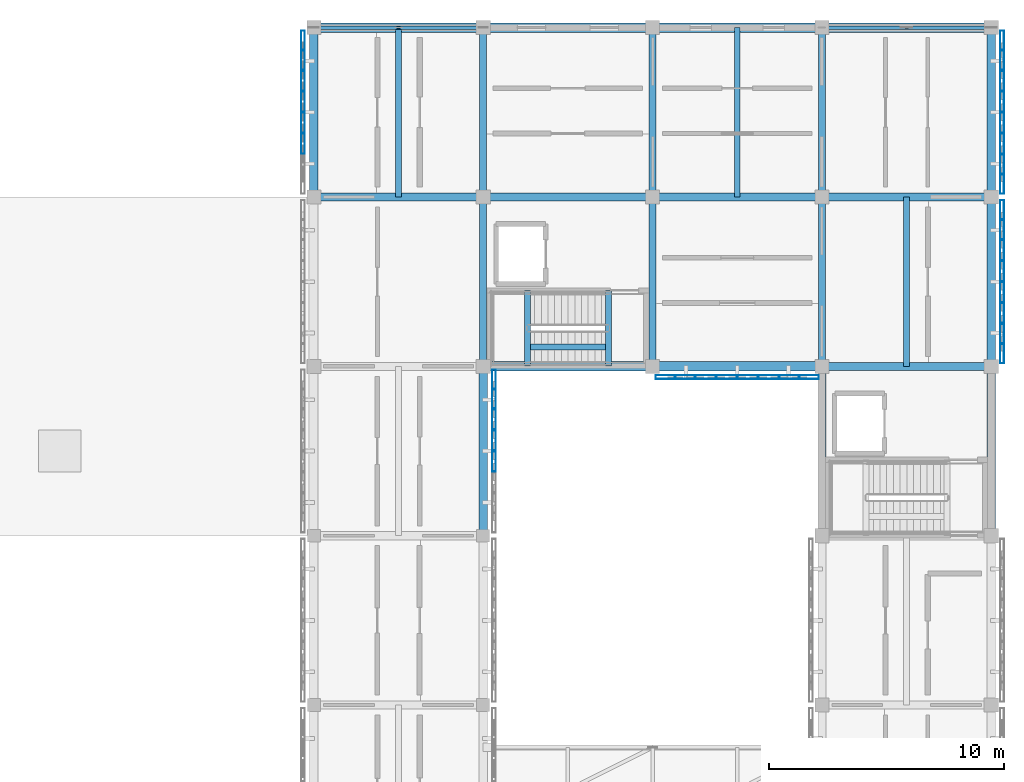
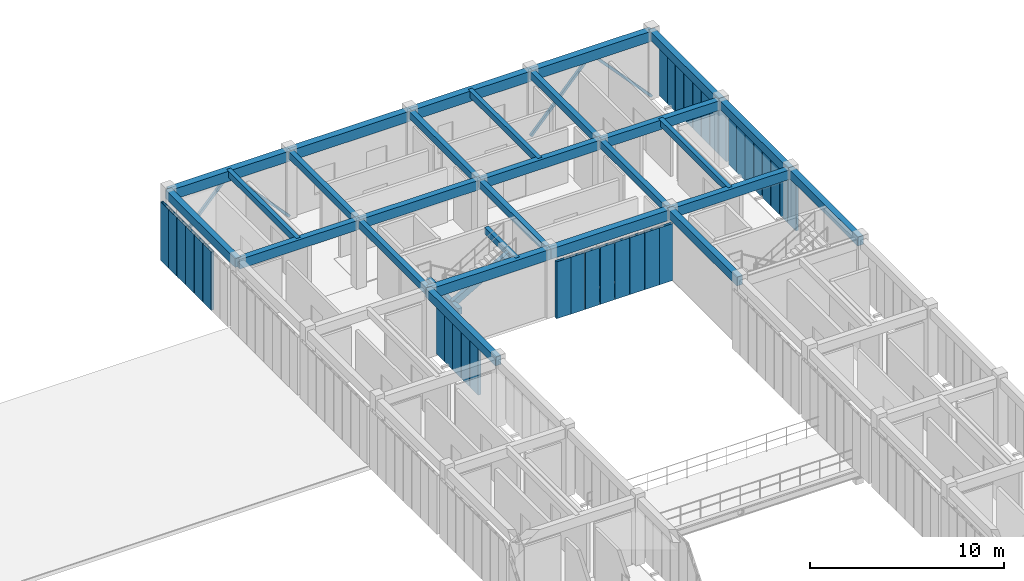
# One storey, part 15 of 91: 39 members, 29 beams, 5 elements without a shape of their own.
"""IFC4 building model written with IfcOpenShell, lengths in metres."""

from ifc_helpers import new_model, si_unit, direction, frame, origin, origin_2d, place, context, subcontext, project, spatial, rectangle, hollow_rectangle, extrude, material, material_profile, profile_set, type_object, element, aggregate, save


model = new_model("IFC4")

# Units and contexts
model_context = context("Model", 3, precision=1e-05, world=origin(), true_north=direction((0.0, 1.0)))
body_context = subcontext(model_context, "Body", "Model", "MODEL_VIEW")
ifc_project = project(units=[si_unit("LENGTHUNIT", "METRE"), si_unit("AREAUNIT", "SQUARE_METRE"), si_unit("VOLUMEUNIT", "CUBIC_METRE"), si_unit("PLANEANGLEUNIT", "RADIAN"), si_unit("MASSUNIT", "GRAM", prefix="KILO")], contexts=[model_context])

# Site, building, storey
site_placement = place(None, origin())
site = spatial("IfcSite", under=ifc_project, at=site_placement, CompositionType="ELEMENT")
building_placement = place(site_placement, origin())
building = spatial("IfcBuilding", under=site, at=building_placement, Name="Aldebral Square Health Centre", CompositionType="ELEMENT")
storey_placement = place(building_placement, frame((0.0, 0.0, 9.0)))
storey = spatial("IfcBuildingStorey", under=building, at=storey_placement, Name="L02", CompositionType="ELEMENT", Elevation=9.0)

# Beams
ifc_material_1 = material(Name="Concrete C40/50", Category="concrete")
ifc_material_profile_1 = material_profile(ifc_material_1, rectangle(XDim=0.39990234375, YDim=0.64990234375, at=origin_2d()), Name="RC 400x650")
ifc_profile_set_1 = profile_set([ifc_material_profile_1], Name="Concrete C40/50")
beam_type_1 = type_object("IfcBeamType", Name="BM-B1", PredefinedType="BEAM", material=ifc_profile_set_1)
for number, where, z_axis, x_axis, name in (
    (1, (136.800048828125, 115.199951171875, 3.9150390625), (1.0, 0.0, 0.0), (0.0, 1.0, 0.0), "L02 X-beam 20-21/G17"),
    (2, (144.0, 100.800048828125, 3.9150390625), (1.0, 0.0, 0.0), (0.0, 1.0, 0.0), "L02 X-beam 21-22/G15"),
    (3, (144.0, 115.199951171875, 3.9150390625), (1.0, 0.0, 0.0), (0.0, 1.0, 0.0), "L02 X-beam 21-22/G17"),
    (4, (151.199951171875, 100.800048828125, 3.9150390625), (1.0, 0.0, 0.0), (0.0, 1.0, 0.0), "L02 X-beam 22-23/G15"),
    (5, (151.199951171875, 115.199951171875, 3.9150390625), (1.0, 0.0, 0.0), (0.0, 1.0, 0.0), "L02 X-beam 22-23/G17"),
):
    element("IfcBeam", number, at=place(storey_placement, frame(where, z_axis=z_axis, x_axis=x_axis)), inside=storey, type_object=beam_type_1, Name=name, PredefinedType="BEAM", context=body_context, shape_type="SweptSolid", body=[
        extrude(rectangle(XDim=0.39990234375, YDim=0.64990234375, at=origin_2d()), origin(), (0.0, 0.0, 1.0), 7.199951171875),
    ])
beam_1_placement = place(storey_placement, frame((158.39990234375, 115.199951171875, 3.9150390625), z_axis=(1.0, 0.0, 0.0), x_axis=(0.0, 1.0, 0.0)))
element("IfcBeam", 6, at=beam_1_placement, inside=storey, type_object=beam_type_1, Name="L02 X-beam 23-24/G17", PredefinedType="BEAM", context=body_context, shape_type="SweptSolid", body=[
    extrude(rectangle(XDim=0.39990234375, YDim=0.64990234375, at=origin_2d()), origin(), (0.0, 0.0, 1.0), 7.2001953125),
])
ifc_material_profile_2 = material_profile(ifc_material_1, rectangle(XDim=0.35009765625, YDim=0.60009765625, at=origin_2d()), Name="RC 350x600")
ifc_profile_set_2 = profile_set([ifc_material_profile_2], Name="Concrete C40/50")
beam_type_2 = type_object("IfcBeamType", Name="BM-B2", PredefinedType="BEAM", material=ifc_profile_set_2)
for number, where, z_axis, x_axis, name in (
    (7, (136.800048828125, 108.0, 3.93994140625), (1.0, 0.0, 0.0), (0.0, 1.0, 0.0), "L02 X-beam 20-21/G16"),
    (8, (144.0, 108.0, 3.93994140625), (1.0, 0.0, 0.0), (0.0, 1.0, 0.0), "L02 X-beam 21-22/G16"),
    (9, (151.199951171875, 108.0, 3.93994140625), (1.0, 0.0, 0.0), (0.0, 1.0, 0.0), "L02 X-beam 22-23/G16"),
):
    element("IfcBeam", number, at=place(storey_placement, frame(where, z_axis=z_axis, x_axis=x_axis)), inside=storey, type_object=beam_type_2, Name=name, PredefinedType="BEAM", context=body_context, shape_type="SweptSolid", body=[
        extrude(rectangle(XDim=0.35009765625, YDim=0.60009765625, at=origin_2d()), origin(), (0.0, 0.0, 1.0), 7.199951171875),
    ])
for number, where, z_axis, x_axis, name in (
    (10, (158.39990234375, 100.800048828125, 3.93994140625), (1.0, 0.0, 0.0), (0.0, 1.0, 0.0), "L02 X-beam 23-24/G15"),
    (11, (158.39990234375, 108.0, 3.93994140625), (1.0, 0.0, 0.0), (0.0, 1.0, 0.0), "L02 X-beam 23-24/G16"),
):
    element("IfcBeam", number, at=place(storey_placement, frame(where, z_axis=z_axis, x_axis=x_axis)), inside=storey, type_object=beam_type_2, Name=name, PredefinedType="BEAM", context=body_context, shape_type="SweptSolid", body=[
        extrude(rectangle(XDim=0.35009765625, YDim=0.60009765625, at=origin_2d()), origin(), (0.0, 0.0, 1.0), 7.2001953125),
    ])
ifc_material_profile_3 = material_profile(ifc_material_1, rectangle(XDim=0.35009765625, YDim=0.550048828125, at=origin_2d()), Name="RC 350x550")
ifc_profile_set_3 = profile_set([ifc_material_profile_3], Name="Concrete C40/50")
beam_type_3 = type_object("IfcBeamType", Name="BM-B3", PredefinedType="BEAM", material=ifc_profile_set_3)
for number, where, z_axis, x_axis, name in (
    (12, (136.800048828125, 108.0, 3.965087890625), (0.0, 1.0, 0.0), (-1.0, 0.0, 0.0), "L02 Y-beam G20/16-17"),
    (13, (144.0, 93.60009765625, 3.965087890625), (0.0, 1.0, 0.0), (-1.0, 0.0, 0.0), "L02 Y-beam G21/14-15"),
    (14, (158.39990234375, 93.60009765625, 3.965087890625), (0.0, 1.0, 0.0), (-1.0, 0.0, 0.0), "L02 Y-beam G23/14-15"),
    (15, (165.60009765625, 93.60009765625, 3.965087890625), (0.0, 1.0, 0.0), (-1.0, 0.0, 0.0), "L02 Y-beam G24/14-15"),
    (16, (165.60009765625, 100.800048828125, 3.965087890625), (0.0, 1.0, 0.0), (-1.0, 0.0, 0.0), "L02 Y-beam G24/15-16"),
    (17, (165.60009765625, 108.0, 3.965087890625), (0.0, 1.0, 0.0), (-1.0, 0.0, 0.0), "L02 Y-beam G24/16-17"),
):
    element("IfcBeam", number, at=place(storey_placement, frame(where, z_axis=z_axis, x_axis=x_axis)), inside=storey, type_object=beam_type_3, Name=name, PredefinedType="BEAM", context=body_context, shape_type="SweptSolid", body=[
        extrude(rectangle(XDim=0.35009765625, YDim=0.550048828125, at=origin_2d()), origin(), (0.0, 0.0, 1.0), 7.199951171875),
    ])
ifc_material_profile_4 = material_profile(ifc_material_1, rectangle(XDim=0.300048828125, YDim=0.449951171875, at=origin_2d()), Name="RC 300x450")
ifc_profile_set_4 = profile_set([ifc_material_profile_4], Name="Concrete C40/50")
beam_type_4 = type_object("IfcBeamType", Name="BM-B5", PredefinedType="BEAM", material=ifc_profile_set_4)
for number, where, z_axis, x_axis, name in (
    (18, (144.0, 100.800048828125, 4.014892578125), (0.0, 1.0, 0.0), (-1.0, 0.0, 0.0), "L02 Y-beam G21/15-16"),
    (19, (144.0, 108.0, 4.014892578125), (0.0, 1.0, 0.0), (-1.0, 0.0, 0.0), "L02 Y-beam G21/16-17"),
    (20, (151.199951171875, 100.800048828125, 4.014892578125), (0.0, 1.0, 0.0), (-1.0, 0.0, 0.0), "L02 Y-beam G22/15-16"),
    (21, (151.199951171875, 108.0, 4.014892578125), (0.0, 1.0, 0.0), (-1.0, 0.0, 0.0), "L02 Y-beam G22/16-17"),
    (22, (158.39990234375, 100.800048828125, 4.014892578125), (0.0, 1.0, 0.0), (-1.0, 0.0, 0.0), "L02 Y-beam G23/15-16"),
    (23, (158.39990234375, 108.0, 4.014892578125), (0.0, 1.0, 0.0), (-1.0, 0.0, 0.0), "L02 Y-beam G23/16-17"),
):
    element("IfcBeam", number, at=place(storey_placement, frame(where, z_axis=z_axis, x_axis=x_axis)), inside=storey, type_object=beam_type_4, Name=name, PredefinedType="BEAM", context=body_context, shape_type="SweptSolid", body=[
        extrude(rectangle(XDim=0.300048828125, YDim=0.449951171875, at=origin_2d()), origin(), (0.0, 0.0, 1.0), 7.199951171875),
    ])
ifc_material_profile_5 = material_profile(ifc_material_1, rectangle(XDim=0.25, YDim=0.39990234375, at=origin_2d()), Name="RC 250x400")
ifc_profile_set_5 = profile_set([ifc_material_profile_5], Name="Concrete C40/50")
beam_type_5 = type_object("IfcBeamType", Name="BM-B6", PredefinedType="JOIST", material=ifc_profile_set_5)
for number, where, z_axis, x_axis, name in (
    (24, (140.39990234375, 108.0, 4.0400390625), (0.0, 1.0, 0.0), (-1.0, 0.0, 0.0), "L02 secondary rib 20.16"),
    (25, (154.800048828125, 108.0, 4.0400390625), (0.0, 1.0, 0.0), (-1.0, 0.0, 0.0), "L02 secondary rib 22.16"),
    (26, (162.0, 100.800048828125, 4.0400390625), (0.0, 1.0, 0.0), (-1.0, 0.0, 0.0), "L02 secondary rib 23.15"),
):
    element("IfcBeam", number, at=place(storey_placement, frame(where, z_axis=z_axis, x_axis=x_axis)), inside=storey, type_object=beam_type_5, Name=name, PredefinedType="JOIST", context=body_context, shape_type="SweptSolid", body=[
        extrude(rectangle(XDim=0.25, YDim=0.39990234375, at=origin_2d()), origin(), (0.0, 0.0, 1.0), 7.199951171875),
    ])
for number, where, z_axis, x_axis, name in (
    (27, (145.8798828125, 100.81005859375, 2.050048828125), (0.0, 1.0, 0.0), (-1.0, 0.0, 0.0), "L02 WC-C4 half-landing beam"),
    (28, (149.320068359375, 100.81005859375, 4.0400390625), (0.0, 1.0, 0.0), (-1.0, 0.0, 0.0), "L02 WC-C4 upper landing beam"),
):
    element("IfcBeam", number, at=place(storey_placement, frame(where, z_axis=z_axis, x_axis=x_axis)), inside=storey, type_object=beam_type_5, Name=name, PredefinedType="JOIST", context=body_context, shape_type="SweptSolid", body=[
        extrude(rectangle(XDim=0.25, YDim=0.39990234375, at=origin_2d()), origin(), (0.0, 0.0, 1.0), 3.219970703125),
    ])
beam_2_placement = place(storey_placement, frame((145.8798828125, 101.6201171875, 2.050048828125), z_axis=(0.865611281387, 0.0, 0.500716596025), x_axis=(0.0, 1.0, 0.0)))
element("IfcBeam", 29, at=beam_2_placement, inside=storey, type_object=beam_type_5, Name="L02 WC-C4 flight stringer beam", PredefinedType="JOIST", context=body_context, shape_type="SweptSolid", body=[
    extrude(rectangle(XDim=0.25, YDim=0.39990234375, at=origin_2d()), origin(), (0.0, 0.0, 1.0), 3.974365234375),
])

# Curtain wall, members
ifc_material_2 = material(Name="Aluminium and low-E solar glass", Category="aluminium")
curtain_wall_type = type_object("IfcCurtainWallType", Name="CW-FIN-SYS", PredefinedType="USERDEFINED", material=ifc_material_2)
curtain_wall_1_placement = place(storey_placement, origin())
curtain_wall_1 = element("IfcCurtainWall", 30, at=curtain_wall_1_placement, inside=storey, type_object=curtain_wall_type, Name="L02 V5 finned curtain wall L02-V5-19-13-E", ObjectType="SOLAR_CURTAIN_WALL", PredefinedType="USERDEFINED")
ifc_material_3 = material(Name="Sienna-terracotta clad aluminium fin", Category="masonry")
ifc_material_profile_6 = material_profile(ifc_material_3, hollow_rectangle(XDim=0.159912109375, YDim=0.85009765625, WallThickness=0.006103515625, at=origin_2d()), Name="FIN 160x850x6")
ifc_profile_set_6 = profile_set([ifc_material_profile_6], Name="Sienna-terracotta clad aluminium fin")
member_type_1 = type_object("IfcMemberType", Name="CWM-FIN", PredefinedType="MULLION", material=ifc_profile_set_6)
member_1_placement = place(storey_placement, frame((144.4599609375, 96.75439453125, 0.0), z_axis=(0.0, 0.0, 1.0), x_axis=(-1.0, 0.0, 0.0)))
member_1 = element("IfcMember", 31, at=member_1_placement, type_object=member_type_1, Name="CW1 mullion 4", PredefinedType="MULLION", context=body_context, shape_type="SweptSolid", body=[
    extrude(hollow_rectangle(XDim=0.159912109375, YDim=0.85009765625, WallThickness=0.006103515625, at=origin_2d()), origin(), (0.0, 0.0, 1.0), 3.68994140625),
])
member_2_placement = place(storey_placement, frame((144.4599609375, 97.645751953125, 0.0), z_axis=(0.0, 0.0, 1.0), x_axis=(-1.0, 0.0, 0.0)))
member_2 = element("IfcMember", 32, at=member_2_placement, type_object=member_type_1, Name="CW1 mullion 5", PredefinedType="MULLION", context=body_context, shape_type="SweptSolid", body=[
    extrude(hollow_rectangle(XDim=0.159912109375, YDim=0.85009765625, WallThickness=0.006103515625, at=origin_2d()), origin(), (0.0, 0.0, 1.0), 3.68994140625),
])
member_3_placement = place(storey_placement, frame((144.4599609375, 98.537109375, 0.0), z_axis=(0.0, 0.0, 1.0), x_axis=(-1.0, 0.0, 0.0)))
member_3 = element("IfcMember", 33, at=member_3_placement, type_object=member_type_1, Name="CW1 mullion 6", PredefinedType="MULLION", context=body_context, shape_type="SweptSolid", body=[
    extrude(hollow_rectangle(XDim=0.159912109375, YDim=0.85009765625, WallThickness=0.006103515625, at=origin_2d()), origin(), (0.0, 0.0, 1.0), 3.68994140625),
])
member_4_placement = place(storey_placement, frame((144.4599609375, 99.428466796875, 0.0), z_axis=(0.0, 0.0, 1.0), x_axis=(-1.0, 0.0, 0.0)))
member_4 = element("IfcMember", 34, at=member_4_placement, type_object=member_type_1, Name="CW1 mullion 7", PredefinedType="MULLION", context=body_context, shape_type="SweptSolid", body=[
    extrude(hollow_rectangle(XDim=0.159912109375, YDim=0.85009765625, WallThickness=0.006103515625, at=origin_2d()), origin(), (0.0, 0.0, 1.0), 3.68994140625),
])
member_5_placement = place(storey_placement, frame((144.4599609375, 100.239990234375, 0.0), z_axis=(0.0, 0.0, 1.0), x_axis=(-1.0, 0.0, 0.0)))
member_5 = element("IfcMember", 35, at=member_5_placement, type_object=member_type_1, Name="CW1 mullion 8", PredefinedType="MULLION", context=body_context, shape_type="SweptSolid", body=[
    extrude(hollow_rectangle(XDim=0.159912109375, YDim=0.85009765625, WallThickness=0.006103515625, at=origin_2d()), origin(), (0.0, 0.0, 1.0), 3.68994140625),
])
aggregate(curtain_wall_1, [member_1, member_2, member_3, member_4, member_5])

curtain_wall_2_placement = place(storey_placement, origin())
curtain_wall_2 = element("IfcCurtainWall", 36, at=curtain_wall_2_placement, inside=storey, type_object=curtain_wall_type, Name="L02 V5 finned curtain wall L02-V5-19-15-W", ObjectType="SOLAR_CURTAIN_WALL", PredefinedType="USERDEFINED")
member_6_placement = place(storey_placement, frame((136.340087890625, 114.639892578125, 0.0), z_axis=(0.0, 0.0, 1.0), x_axis=(1.0, 0.0, 0.0)))
member_6 = element("IfcMember", 37, at=member_6_placement, type_object=member_type_1, Name="CW1 mullion 1", PredefinedType="MULLION", context=body_context, shape_type="SweptSolid", body=[
    extrude(hollow_rectangle(XDim=0.159912109375, YDim=0.85009765625, WallThickness=0.006103515625, at=origin_2d()), origin(), (0.0, 0.0, 1.0), 3.68994140625),
])
member_7_placement = place(storey_placement, frame((136.340087890625, 113.82861328125, 0.0), z_axis=(0.0, 0.0, 1.0), x_axis=(1.0, 0.0, 0.0)))
member_7 = element("IfcMember", 38, at=member_7_placement, type_object=member_type_1, Name="CW1 mullion 2", PredefinedType="MULLION", context=body_context, shape_type="SweptSolid", body=[
    extrude(hollow_rectangle(XDim=0.159912109375, YDim=0.85009765625, WallThickness=0.006103515625, at=origin_2d()), origin(), (0.0, 0.0, 1.0), 3.68994140625),
])
member_8_placement = place(storey_placement, frame((136.340087890625, 112.937255859375, 0.0), z_axis=(0.0, 0.0, 1.0), x_axis=(1.0, 0.0, 0.0)))
member_8 = element("IfcMember", 39, at=member_8_placement, type_object=member_type_1, Name="CW1 mullion 3", PredefinedType="MULLION", context=body_context, shape_type="SweptSolid", body=[
    extrude(hollow_rectangle(XDim=0.159912109375, YDim=0.85009765625, WallThickness=0.006103515625, at=origin_2d()), origin(), (0.0, 0.0, 1.0), 3.68994140625),
])
member_9_placement = place(storey_placement, frame((136.340087890625, 112.045654296875, 0.0), z_axis=(0.0, 0.0, 1.0), x_axis=(1.0, 0.0, 0.0)))
member_9 = element("IfcMember", 40, at=member_9_placement, type_object=member_type_1, Name="CW1 mullion 4", PredefinedType="MULLION", context=body_context, shape_type="SweptSolid", body=[
    extrude(hollow_rectangle(XDim=0.159912109375, YDim=0.85009765625, WallThickness=0.006103515625, at=origin_2d()), origin(), (0.0, 0.0, 1.0), 3.68994140625),
])
member_10_placement = place(storey_placement, frame((136.340087890625, 111.154296875, 0.0), z_axis=(0.0, 0.0, 1.0), x_axis=(1.0, 0.0, 0.0)))
member_10 = element("IfcMember", 41, at=member_10_placement, type_object=member_type_1, Name="CW1 mullion 5", PredefinedType="MULLION", context=body_context, shape_type="SweptSolid", body=[
    extrude(hollow_rectangle(XDim=0.159912109375, YDim=0.85009765625, WallThickness=0.006103515625, at=origin_2d()), origin(), (0.0, 0.0, 1.0), 3.68994140625),
])
member_11_placement = place(storey_placement, frame((136.340087890625, 110.262939453125, 0.0), z_axis=(0.0, 0.0, 1.0), x_axis=(1.0, 0.0, 0.0)))
member_11 = element("IfcMember", 42, at=member_11_placement, type_object=member_type_1, Name="CW1 mullion 6", PredefinedType="MULLION", context=body_context, shape_type="SweptSolid", body=[
    extrude(hollow_rectangle(XDim=0.159912109375, YDim=0.85009765625, WallThickness=0.006103515625, at=origin_2d()), origin(), (0.0, 0.0, 1.0), 3.68994140625),
])
aggregate(curtain_wall_2, [member_6, member_7, member_8, member_9, member_10, member_11])

curtain_wall_3_placement = place(storey_placement, origin())
curtain_wall_3 = element("IfcCurtainWall", 43, at=curtain_wall_3_placement, inside=storey, type_object=curtain_wall_type, Name="L02 V5 finned curtain wall L02-V5-21-14-S", ObjectType="SOLAR_CURTAIN_WALL", PredefinedType="USERDEFINED")
member_12_placement = place(storey_placement, frame((151.760009765625, 100.340087890625, 0.0), z_axis=(0.0, 0.0, 1.0), x_axis=(0.0, 1.0, 0.0)))
member_12 = element("IfcMember", 44, at=member_12_placement, type_object=member_type_1, Name="CW1 mullion 1", PredefinedType="MULLION", context=body_context, shape_type="SweptSolid", body=[
    extrude(hollow_rectangle(XDim=0.159912109375, YDim=0.85009765625, WallThickness=0.006103515625, at=origin_2d()), origin(), (0.0, 0.0, 1.0), 3.590087890625),
])
member_13_placement = place(storey_placement, frame((152.571533203125, 100.340087890625, 0.0), z_axis=(0.0, 0.0, 1.0), x_axis=(0.0, 1.0, 0.0)))
member_13 = element("IfcMember", 45, at=member_13_placement, type_object=member_type_1, Name="CW1 mullion 2", PredefinedType="MULLION", context=body_context, shape_type="SweptSolid", body=[
    extrude(hollow_rectangle(XDim=0.159912109375, YDim=0.85009765625, WallThickness=0.006103515625, at=origin_2d()), origin(), (0.0, 0.0, 1.0), 3.590087890625),
])
member_14_placement = place(storey_placement, frame((153.462890625, 100.340087890625, 0.0), z_axis=(0.0, 0.0, 1.0), x_axis=(0.0, 1.0, 0.0)))
member_14 = element("IfcMember", 46, at=member_14_placement, type_object=member_type_1, Name="CW1 mullion 3", PredefinedType="MULLION", context=body_context, shape_type="SweptSolid", body=[
    extrude(hollow_rectangle(XDim=0.159912109375, YDim=0.85009765625, WallThickness=0.006103515625, at=origin_2d()), origin(), (0.0, 0.0, 1.0), 3.590087890625),
])
member_15_placement = place(storey_placement, frame((154.354248046875, 100.340087890625, 0.0), z_axis=(0.0, 0.0, 1.0), x_axis=(0.0, 1.0, 0.0)))
member_15 = element("IfcMember", 47, at=member_15_placement, type_object=member_type_1, Name="CW1 mullion 4", PredefinedType="MULLION", context=body_context, shape_type="SweptSolid", body=[
    extrude(hollow_rectangle(XDim=0.159912109375, YDim=0.85009765625, WallThickness=0.006103515625, at=origin_2d()), origin(), (0.0, 0.0, 1.0), 3.590087890625),
])
member_16_placement = place(storey_placement, frame((155.24560546875, 100.340087890625, 0.0), z_axis=(0.0, 0.0, 1.0), x_axis=(0.0, 1.0, 0.0)))
member_16 = element("IfcMember", 48, at=member_16_placement, type_object=member_type_1, Name="CW1 mullion 5", PredefinedType="MULLION", context=body_context, shape_type="SweptSolid", body=[
    extrude(hollow_rectangle(XDim=0.159912109375, YDim=0.85009765625, WallThickness=0.006103515625, at=origin_2d()), origin(), (0.0, 0.0, 1.0), 3.590087890625),
])
member_17_placement = place(storey_placement, frame((156.13720703125, 100.340087890625, 0.0), z_axis=(0.0, 0.0, 1.0), x_axis=(0.0, 1.0, 0.0)))
member_17 = element("IfcMember", 49, at=member_17_placement, type_object=member_type_1, Name="CW1 mullion 6", PredefinedType="MULLION", context=body_context, shape_type="SweptSolid", body=[
    extrude(hollow_rectangle(XDim=0.159912109375, YDim=0.85009765625, WallThickness=0.006103515625, at=origin_2d()), origin(), (0.0, 0.0, 1.0), 3.590087890625),
])
member_18_placement = place(storey_placement, frame((157.028564453125, 100.340087890625, 0.0), z_axis=(0.0, 0.0, 1.0), x_axis=(0.0, 1.0, 0.0)))
member_18 = element("IfcMember", 50, at=member_18_placement, type_object=member_type_1, Name="CW1 mullion 7", PredefinedType="MULLION", context=body_context, shape_type="SweptSolid", body=[
    extrude(hollow_rectangle(XDim=0.159912109375, YDim=0.85009765625, WallThickness=0.006103515625, at=origin_2d()), origin(), (0.0, 0.0, 1.0), 3.590087890625),
])
member_19_placement = place(storey_placement, frame((157.840087890625, 100.340087890625, 0.0), z_axis=(0.0, 0.0, 1.0), x_axis=(0.0, 1.0, 0.0)))
member_19 = element("IfcMember", 51, at=member_19_placement, type_object=member_type_1, Name="CW1 mullion 8", PredefinedType="MULLION", context=body_context, shape_type="SweptSolid", body=[
    extrude(hollow_rectangle(XDim=0.159912109375, YDim=0.85009765625, WallThickness=0.006103515625, at=origin_2d()), origin(), (0.0, 0.0, 1.0), 3.590087890625),
])
aggregate(curtain_wall_3, [member_12, member_13, member_14, member_15, member_16, member_17, member_18, member_19])

curtain_wall_4_placement = place(storey_placement, origin())
curtain_wall_4 = element("IfcCurtainWall", 52, at=curtain_wall_4_placement, inside=storey, type_object=curtain_wall_type, Name="L02 V5 finned curtain wall L02-V5-22-14-E", ObjectType="SOLAR_CURTAIN_WALL", PredefinedType="USERDEFINED")
member_20_placement = place(storey_placement, frame((166.06005859375, 101.360107421875, 0.0), z_axis=(0.0, 0.0, 1.0), x_axis=(-1.0, 0.0, 0.0)))
member_20 = element("IfcMember", 53, at=member_20_placement, type_object=member_type_1, Name="CW1 mullion 1", PredefinedType="MULLION", context=body_context, shape_type="SweptSolid", body=[
    extrude(hollow_rectangle(XDim=0.159912109375, YDim=0.85009765625, WallThickness=0.006103515625, at=origin_2d()), origin(), (0.0, 0.0, 1.0), 3.68994140625),
])
member_21_placement = place(storey_placement, frame((166.06005859375, 102.17138671875, 0.0), z_axis=(0.0, 0.0, 1.0), x_axis=(-1.0, 0.0, 0.0)))
member_21 = element("IfcMember", 54, at=member_21_placement, type_object=member_type_1, Name="CW1 mullion 2", PredefinedType="MULLION", context=body_context, shape_type="SweptSolid", body=[
    extrude(hollow_rectangle(XDim=0.159912109375, YDim=0.85009765625, WallThickness=0.006103515625, at=origin_2d()), origin(), (0.0, 0.0, 1.0), 3.68994140625),
])
member_22_placement = place(storey_placement, frame((166.06005859375, 103.062744140625, 0.0), z_axis=(0.0, 0.0, 1.0), x_axis=(-1.0, 0.0, 0.0)))
member_22 = element("IfcMember", 55, at=member_22_placement, type_object=member_type_1, Name="CW1 mullion 3", PredefinedType="MULLION", context=body_context, shape_type="SweptSolid", body=[
    extrude(hollow_rectangle(XDim=0.159912109375, YDim=0.85009765625, WallThickness=0.006103515625, at=origin_2d()), origin(), (0.0, 0.0, 1.0), 3.68994140625),
])
member_23_placement = place(storey_placement, frame((166.06005859375, 103.954345703125, 0.0), z_axis=(0.0, 0.0, 1.0), x_axis=(-1.0, 0.0, 0.0)))
member_23 = element("IfcMember", 56, at=member_23_placement, type_object=member_type_1, Name="CW1 mullion 4", PredefinedType="MULLION", context=body_context, shape_type="SweptSolid", body=[
    extrude(hollow_rectangle(XDim=0.159912109375, YDim=0.85009765625, WallThickness=0.006103515625, at=origin_2d()), origin(), (0.0, 0.0, 1.0), 3.68994140625),
])
member_24_placement = place(storey_placement, frame((166.06005859375, 104.845703125, 0.0), z_axis=(0.0, 0.0, 1.0), x_axis=(-1.0, 0.0, 0.0)))
member_24 = element("IfcMember", 57, at=member_24_placement, type_object=member_type_1, Name="CW1 mullion 5", PredefinedType="MULLION", context=body_context, shape_type="SweptSolid", body=[
    extrude(hollow_rectangle(XDim=0.159912109375, YDim=0.85009765625, WallThickness=0.006103515625, at=origin_2d()), origin(), (0.0, 0.0, 1.0), 3.68994140625),
])
member_25_placement = place(storey_placement, frame((166.06005859375, 105.737060546875, 0.0), z_axis=(0.0, 0.0, 1.0), x_axis=(-1.0, 0.0, 0.0)))
member_25 = element("IfcMember", 58, at=member_25_placement, type_object=member_type_1, Name="CW1 mullion 6", PredefinedType="MULLION", context=body_context, shape_type="SweptSolid", body=[
    extrude(hollow_rectangle(XDim=0.159912109375, YDim=0.85009765625, WallThickness=0.006103515625, at=origin_2d()), origin(), (0.0, 0.0, 1.0), 3.68994140625),
])
member_26_placement = place(storey_placement, frame((166.06005859375, 106.628662109375, 0.0), z_axis=(0.0, 0.0, 1.0), x_axis=(-1.0, 0.0, 0.0)))
member_26 = element("IfcMember", 59, at=member_26_placement, type_object=member_type_1, Name="CW1 mullion 7", PredefinedType="MULLION", context=body_context, shape_type="SweptSolid", body=[
    extrude(hollow_rectangle(XDim=0.159912109375, YDim=0.85009765625, WallThickness=0.006103515625, at=origin_2d()), origin(), (0.0, 0.0, 1.0), 3.68994140625),
])
member_27_placement = place(storey_placement, frame((166.06005859375, 107.43994140625, 0.0), z_axis=(0.0, 0.0, 1.0), x_axis=(-1.0, 0.0, 0.0)))
member_27 = element("IfcMember", 60, at=member_27_placement, type_object=member_type_1, Name="CW1 mullion 8", PredefinedType="MULLION", context=body_context, shape_type="SweptSolid", body=[
    extrude(hollow_rectangle(XDim=0.159912109375, YDim=0.85009765625, WallThickness=0.006103515625, at=origin_2d()), origin(), (0.0, 0.0, 1.0), 3.68994140625),
])
aggregate(curtain_wall_4, [member_20, member_21, member_22, member_23, member_24, member_25, member_26, member_27])

curtain_wall_5_placement = place(storey_placement, origin())
curtain_wall_5 = element("IfcCurtainWall", 61, at=curtain_wall_5_placement, inside=storey, type_object=curtain_wall_type, Name="L02 V5 finned curtain wall L02-V5-22-15-E", ObjectType="SOLAR_CURTAIN_WALL", PredefinedType="USERDEFINED")
member_28_placement = place(storey_placement, frame((166.06005859375, 108.56005859375, 0.0), z_axis=(0.0, 0.0, 1.0), x_axis=(-1.0, 0.0, 0.0)))
member_28 = element("IfcMember", 62, at=member_28_placement, type_object=member_type_1, Name="CW1 mullion 1", PredefinedType="MULLION", context=body_context, shape_type="SweptSolid", body=[
    extrude(hollow_rectangle(XDim=0.159912109375, YDim=0.85009765625, WallThickness=0.006103515625, at=origin_2d()), origin(), (0.0, 0.0, 1.0), 3.68994140625),
])
member_29_placement = place(storey_placement, frame((166.06005859375, 109.371337890625, 0.0), z_axis=(0.0, 0.0, 1.0), x_axis=(-1.0, 0.0, 0.0)))
member_29 = element("IfcMember", 63, at=member_29_placement, type_object=member_type_1, Name="CW1 mullion 2", PredefinedType="MULLION", context=body_context, shape_type="SweptSolid", body=[
    extrude(hollow_rectangle(XDim=0.159912109375, YDim=0.85009765625, WallThickness=0.006103515625, at=origin_2d()), origin(), (0.0, 0.0, 1.0), 3.68994140625),
])
member_30_placement = place(storey_placement, frame((166.06005859375, 110.262939453125, 0.0), z_axis=(0.0, 0.0, 1.0), x_axis=(-1.0, 0.0, 0.0)))
member_30 = element("IfcMember", 64, at=member_30_placement, type_object=member_type_1, Name="CW1 mullion 3", PredefinedType="MULLION", context=body_context, shape_type="SweptSolid", body=[
    extrude(hollow_rectangle(XDim=0.159912109375, YDim=0.85009765625, WallThickness=0.006103515625, at=origin_2d()), origin(), (0.0, 0.0, 1.0), 3.68994140625),
])
member_31_placement = place(storey_placement, frame((166.06005859375, 111.154296875, 0.0), z_axis=(0.0, 0.0, 1.0), x_axis=(-1.0, 0.0, 0.0)))
member_31 = element("IfcMember", 65, at=member_31_placement, type_object=member_type_1, Name="CW1 mullion 4", PredefinedType="MULLION", context=body_context, shape_type="SweptSolid", body=[
    extrude(hollow_rectangle(XDim=0.159912109375, YDim=0.85009765625, WallThickness=0.006103515625, at=origin_2d()), origin(), (0.0, 0.0, 1.0), 3.68994140625),
])
member_32_placement = place(storey_placement, frame((166.06005859375, 112.045654296875, 0.0), z_axis=(0.0, 0.0, 1.0), x_axis=(-1.0, 0.0, 0.0)))
member_32 = element("IfcMember", 66, at=member_32_placement, type_object=member_type_1, Name="CW1 mullion 5", PredefinedType="MULLION", context=body_context, shape_type="SweptSolid", body=[
    extrude(hollow_rectangle(XDim=0.159912109375, YDim=0.85009765625, WallThickness=0.006103515625, at=origin_2d()), origin(), (0.0, 0.0, 1.0), 3.68994140625),
])
member_33_placement = place(storey_placement, frame((166.06005859375, 112.937255859375, 0.0), z_axis=(0.0, 0.0, 1.0), x_axis=(-1.0, 0.0, 0.0)))
member_33 = element("IfcMember", 67, at=member_33_placement, type_object=member_type_1, Name="CW1 mullion 6", PredefinedType="MULLION", context=body_context, shape_type="SweptSolid", body=[
    extrude(hollow_rectangle(XDim=0.159912109375, YDim=0.85009765625, WallThickness=0.006103515625, at=origin_2d()), origin(), (0.0, 0.0, 1.0), 3.68994140625),
])
member_34_placement = place(storey_placement, frame((166.06005859375, 113.82861328125, 0.0), z_axis=(0.0, 0.0, 1.0), x_axis=(-1.0, 0.0, 0.0)))
member_34 = element("IfcMember", 68, at=member_34_placement, type_object=member_type_1, Name="CW1 mullion 7", PredefinedType="MULLION", context=body_context, shape_type="SweptSolid", body=[
    extrude(hollow_rectangle(XDim=0.159912109375, YDim=0.85009765625, WallThickness=0.006103515625, at=origin_2d()), origin(), (0.0, 0.0, 1.0), 3.68994140625),
])
member_35_placement = place(storey_placement, frame((166.06005859375, 114.639892578125, 0.0), z_axis=(0.0, 0.0, 1.0), x_axis=(-1.0, 0.0, 0.0)))
member_35 = element("IfcMember", 69, at=member_35_placement, type_object=member_type_1, Name="CW1 mullion 8", PredefinedType="MULLION", context=body_context, shape_type="SweptSolid", body=[
    extrude(hollow_rectangle(XDim=0.159912109375, YDim=0.85009765625, WallThickness=0.006103515625, at=origin_2d()), origin(), (0.0, 0.0, 1.0), 3.68994140625),
])
aggregate(curtain_wall_5, [member_28, member_29, member_30, member_31, member_32, member_33, member_34, member_35])

# Members
ifc_material_4 = material(Name="Steel S355JR", Category="steel")
ifc_material_profile_7 = material_profile(ifc_material_4, hollow_rectangle(XDim=0.14990234375, YDim=0.14990234375, WallThickness=0.008056640625, at=origin_2d()), Name="150x150x8 SHS")
ifc_profile_set_7 = profile_set([ifc_material_profile_7], Name="Steel S355JR")
member_type_2 = type_object("IfcMemberType", Name="MEM-BR2", PredefinedType="BRACE", material=ifc_profile_set_7)
for number, where, z_axis, x_axis, name in (
    (70, (136.800048828125, 115.199951171875, 0.0), (0.676854631126, 0.0, 0.736116708358), (0.0, 1.0, 0.0), "L02 exterior north chevron brace L 20"),
    (71, (144.0, 115.199951171875, 0.0), (-0.676879503872, 0.0, 0.73609383725), (0.0, -1.0, 0.0), "L02 exterior north chevron brace R 20"),
    (72, (158.39990234375, 115.199951171875, 0.0), (0.676879503872, 0.0, 0.73609383725), (0.0, 1.0, 0.0), "L02 exterior north chevron brace L 23"),
    (73, (165.60009765625, 115.199951171875, 0.0), (-0.676879503872, 0.0, 0.73609383725), (0.0, -1.0, 0.0), "L02 exterior north chevron brace R 23"),
):
    element("IfcMember", number, at=place(storey_placement, frame(where, z_axis=z_axis, x_axis=x_axis)), inside=storey, type_object=member_type_2, Name=name, PredefinedType="BRACE", context=body_context, shape_type="SweptSolid", body=[
        extrude(hollow_rectangle(XDim=0.14990234375, YDim=0.14990234375, WallThickness=0.008056640625, at=origin_2d()), origin(), (0.0, 0.0, 1.0), 5.318603515625),
    ])

save(model, "model.ifc")
